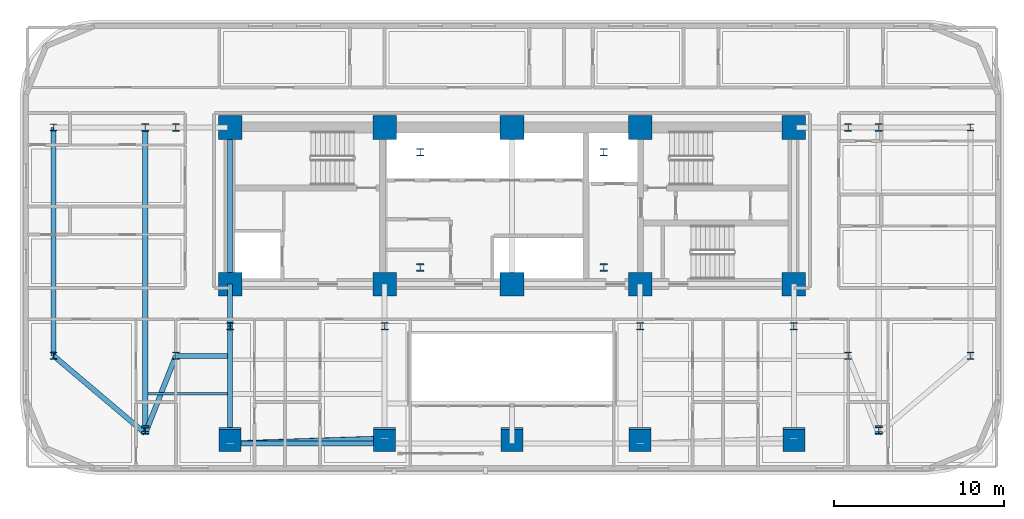
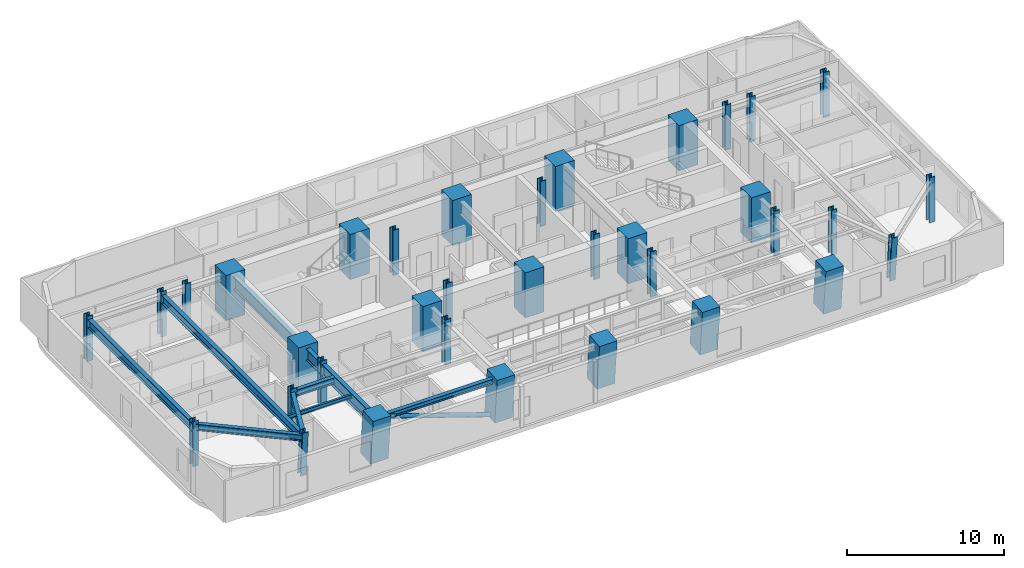
# One storey, part 1 of 16: 35 columns, 10 beams, 1 member.
"""IFC4 building model written with IfcOpenShell, lengths in metres."""

from ifc_helpers import new_model, si_unit, direction, frame, origin, origin_2d, place, context, subcontext, project, spatial, rectangle, hollow_circle, i_section, extrude, material, material_profile, profile_set, type_object, element, save


model = new_model("IFC4")

# Units and contexts
model_context = context("Model", 3, precision=1e-05, world=origin(), true_north=direction((0.0, 1.0)))
body_context = subcontext(model_context, "Body", "Model", "MODEL_VIEW")
ifc_project = project(units=[si_unit("LENGTHUNIT", "METRE"), si_unit("AREAUNIT", "SQUARE_METRE"), si_unit("VOLUMEUNIT", "CUBIC_METRE"), si_unit("PLANEANGLEUNIT", "RADIAN"), si_unit("MASSUNIT", "GRAM", prefix="KILO")], contexts=[model_context])

# Site, building, storey
site_placement = place(None, origin())
site = spatial("IfcSite", under=ifc_project, at=site_placement, CompositionType="ELEMENT")
building_placement = place(site_placement, origin())
building = spatial("IfcBuilding", under=site, at=building_placement, Name="Zarnavel Station Tower", CompositionType="ELEMENT")
storey_placement = place(building_placement, frame((0.0, 0.0, 82.800048828125)))
storey = spatial("IfcBuildingStorey", under=building, at=storey_placement, Name="L22", CompositionType="ELEMENT", Elevation=82.800048828125)

# Columns
ifc_material_1 = material(Name="Steel S460M", Category="steel")
ifc_material_profile_1 = material_profile(ifc_material_1, i_section(OverallWidth=0.41796875, OverallDepth=0.431884765625, WebThickness=0.034912109375, FlangeThickness=0.055908203125, FilletRadius=0.014892578125, at=origin_2d()), Name="HD400x421")
ifc_profile_set_1 = profile_set([ifc_material_profile_1], Name="Steel S460M")
column_type_1 = type_object("IfcColumnType", Name="EC_HD421", PredefinedType="COLUMN", material=ifc_profile_set_1)
for number, where, z_axis, x_axis, name in (
    (1, (1.800048828125, 23.60009765625, 0.0), (0.0, 0.0, 1.0), (1.0, 0.0, 0.0), "L22 Outer Wing South Column 1"),
    (2, (1.800048828125, 37.050048828125, 0.0), (0.0, 0.0, 1.0), (1.0, 0.0, 0.0), "L22 Outer Wing North Column 1"),
):
    element("IfcColumn", number, at=place(storey_placement, frame(where, z_axis=z_axis, x_axis=x_axis)), inside=storey, type_object=column_type_1, Name=name, PredefinedType="COLUMN", context=body_context, shape_type="SweptSolid", body=[
        extrude(i_section(OverallWidth=0.41796875, OverallDepth=0.431884765625, WebThickness=0.034912109375, FlangeThickness=0.055908203125, FilletRadius=0.014892578125, at=origin_2d()), origin(), (0.0, 0.0, 1.0), 3.5),
    ])
for number, where, z_axis, x_axis, name in (
    (3, (7.199951171875, 19.2880859375, 0.0), (0.0, -0.079891690793, 0.996803550226), (1.0, 0.0, 0.0), "L22 Raked Wing Column 2"),
    (4, (50.39990234375, 19.2880859375, 0.0), (0.0, -0.079891690793, 0.996803550226), (1.0, 0.0, 0.0), "L22 Raked Wing Column 3"),
):
    element("IfcColumn", number, at=place(storey_placement, frame(where, z_axis=z_axis, x_axis=x_axis)), inside=storey, type_object=column_type_1, Name=name, PredefinedType="COLUMN", context=body_context, shape_type="SweptSolid", body=[
        extrude(i_section(OverallWidth=0.41796875, OverallDepth=0.431884765625, WebThickness=0.034912109375, FlangeThickness=0.055908203125, FilletRadius=0.014892578125, at=origin_2d()), origin(), (0.0, 0.0, 1.0), 3.51123046875),
    ])
for number, where, z_axis, x_axis, name in (
    (5, (55.800048828125, 23.60009765625, 0.0), (0.0, 0.0, 1.0), (1.0, 0.0, 0.0), "L22 Outer Wing South Column 4"),
    (6, (55.800048828125, 37.050048828125, 0.0), (0.0, 0.0, 1.0), (1.0, 0.0, 0.0), "L22 Outer Wing North Column 4"),
):
    element("IfcColumn", number, at=place(storey_placement, frame(where, z_axis=z_axis, x_axis=x_axis)), inside=storey, type_object=column_type_1, Name=name, PredefinedType="COLUMN", context=body_context, shape_type="SweptSolid", body=[
        extrude(i_section(OverallWidth=0.41796875, OverallDepth=0.431884765625, WebThickness=0.034912109375, FlangeThickness=0.055908203125, FilletRadius=0.014892578125, at=origin_2d()), origin(), (0.0, 0.0, 1.0), 3.5),
    ])
ifc_material_2 = material(Name="Steel S460M", Category="steel")
ifc_material_profile_2 = material_profile(ifc_material_2, i_section(OverallWidth=0.424072265625, OverallDepth=0.449951171875, WebThickness=0.041015625, FlangeThickness=0.06494140625, FilletRadius=0.014892578125, at=origin_2d()), Name="HD400x509")
ifc_profile_set_2 = profile_set([ifc_material_profile_2], Name="Steel S460M")
column_type_2 = type_object("IfcColumnType", Name="IC_HD509", PredefinedType="COLUMN", material=ifc_profile_set_2)
for number, where, z_axis, x_axis, name in (
    (7, (23.39990234375, 28.800048828125, 0.0), (0.0, 0.0, 1.0), (1.0, 0.0, 0.0), "L22 Mast Spine Column 1"),
    (8, (34.199951171875, 28.800048828125, 0.0), (0.0, 0.0, 1.0), (1.0, 0.0, 0.0), "L22 Mast Spine Column 2"),
    (9, (34.199951171875, 35.60009765625, 0.0), (0.0, 0.0, 1.0), (1.0, 0.0, 0.0), "L22 Mast Spine Column 3"),
    (10, (23.39990234375, 35.60009765625, 0.0), (0.0, 0.0, 1.0), (1.0, 0.0, 0.0), "L22 Mast Spine Column 4"),
    (11, (12.199951171875, 25.35009765625, 0.0), (0.0, 0.0, 1.0), (1.0, 0.0, 0.0), "L22 Inner Spine Column 1"),
    (12, (21.300048828125, 25.35009765625, 0.0), (0.0, 0.0, 1.0), (1.0, 0.0, 0.0), "L22 Inner Spine Column 2"),
    (13, (36.35009765625, 25.35009765625, 0.0), (0.0, 0.0, 1.0), (1.0, 0.0, 0.0), "L22 Inner Spine Column 4"),
    (14, (45.39990234375, 25.35009765625, 0.0), (0.0, 0.0, 1.0), (1.0, 0.0, 0.0), "L22 Inner Spine Column 5"),
    (15, (9.0, 23.60009765625, 0.0), (0.0, 0.0, 1.0), (1.0, 0.0, 0.0), "L22 Inner Wing Spine Column 1-1"),
    (16, (9.0, 37.050048828125, 0.0), (0.0, 0.0, 1.0), (1.0, 0.0, 0.0), "L22 Inner Wing Spine Column 1-2"),
    (17, (48.60009765625, 23.60009765625, 0.0), (0.0, 0.0, 1.0), (1.0, 0.0, 0.0), "L22 Inner Wing Spine Column 2-1"),
    (18, (48.60009765625, 37.050048828125, 0.0), (0.0, 0.0, 1.0), (1.0, 0.0, 0.0), "L22 Inner Wing Spine Column 2-2"),
    (19, (7.199951171875, 37.050048828125, 0.0), (0.0, 0.0, 1.0), (1.0, 0.0, 0.0), "L22 Outer Wing North Column 2"),
    (20, (50.39990234375, 37.050048828125, 0.0), (0.0, 0.0, 1.0), (1.0, 0.0, 0.0), "L22 Outer Wing North Column 3"),
):
    element("IfcColumn", number, at=place(storey_placement, frame(where, z_axis=z_axis, x_axis=x_axis)), inside=storey, type_object=column_type_2, Name=name, PredefinedType="COLUMN", context=body_context, shape_type="SweptSolid", body=[
        extrude(i_section(OverallWidth=0.424072265625, OverallDepth=0.449951171875, WebThickness=0.041015625, FlangeThickness=0.06494140625, FilletRadius=0.014892578125, at=origin_2d()), origin(), (0.0, 0.0, 1.0), 3.5),
    ])
ifc_material_3 = material(Name="Concrete C60/75", Category="concrete")
ifc_material_profile_3 = material_profile(ifc_material_3, rectangle(XDim=1.39990234375, YDim=1.39990234375, at=origin_2d()), Name="RC1400x1400")
ifc_profile_set_3 = profile_set([ifc_material_profile_3], Name="Concrete C60/75")
column_type_3 = type_object("IfcColumnType", Name="IC_RC1400", PredefinedType="COLUMN", material=ifc_profile_set_3)
for number, where, z_axis, x_axis, name in (
    (21, (12.199951171875, 27.820068359375, 0.0), (0.0, 0.0, 1.0), (1.0, 0.0, 0.0), "L22 Core Spine Column 1-1"),
    (22, (12.199951171875, 37.050048828125, 0.0), (0.0, 0.0, 1.0), (1.0, 0.0, 0.0), "L22 Core Spine Column 1-2"),
    (23, (21.300048828125, 27.820068359375, 0.0), (0.0, 0.0, 1.0), (1.0, 0.0, 0.0), "L22 Core Spine Column 2-1"),
    (24, (21.300048828125, 37.050048828125, 0.0), (0.0, 0.0, 1.0), (1.0, 0.0, 0.0), "L22 Core Spine Column 2-2"),
    (25, (28.800048828125, 27.820068359375, 0.0), (0.0, 0.0, 1.0), (1.0, 0.0, 0.0), "L22 Core Spine Column 3-1"),
    (26, (28.800048828125, 37.050048828125, 0.0), (0.0, 0.0, 1.0), (1.0, 0.0, 0.0), "L22 Core Spine Column 3-2"),
    (27, (36.35009765625, 27.820068359375, 0.0), (0.0, 0.0, 1.0), (1.0, 0.0, 0.0), "L22 Core Spine Column 4-1"),
    (28, (36.35009765625, 37.050048828125, 0.0), (0.0, 0.0, 1.0), (1.0, 0.0, 0.0), "L22 Core Spine Column 4-2"),
    (29, (45.39990234375, 27.820068359375, 0.0), (0.0, 0.0, 1.0), (1.0, 0.0, 0.0), "L22 Core Spine Column 5-1"),
    (30, (45.39990234375, 37.050048828125, 0.0), (0.0, 0.0, 1.0), (1.0, 0.0, 0.0), "L22 Core Spine Column 5-2"),
):
    element("IfcColumn", number, at=place(storey_placement, frame(where, z_axis=z_axis, x_axis=x_axis)), inside=storey, type_object=column_type_3, Name=name, PredefinedType="COLUMN", context=body_context, shape_type="SweptSolid", body=[
        extrude(rectangle(XDim=1.39990234375, YDim=1.39990234375, at=origin_2d()), origin(), (0.0, 0.0, 1.0), 3.5),
    ])
ifc_material_4 = material(Name="Concrete C60/75", Category="concrete")
ifc_material_profile_4 = material_profile(ifc_material_4, rectangle(XDim=1.300048828125, YDim=1.300048828125, at=origin_2d()), Name="RC1300x1300")
ifc_profile_set_4 = profile_set([ifc_material_profile_4], Name="Concrete C60/75")
column_type_4 = type_object("IfcColumnType", Name="MC_RC1300", PredefinedType="COLUMN", material=ifc_profile_set_4)
for number, where, z_axis, x_axis, name in (
    (31, (12.199951171875, 18.724609375, 0.0), (0.0, -0.090241349316, 0.995919925935), (1.0, 0.0, 0.0), "L22 Raked South Mega-Column 1"),
    (32, (21.300048828125, 18.724609375, 0.0), (0.0, -0.090241349316, 0.995919925935), (1.0, 0.0, 0.0), "L22 Raked South Mega-Column 2"),
    (33, (28.800048828125, 18.724609375, 0.0), (0.0, -0.090241349316, 0.995919925935), (1.0, 0.0, 0.0), "L22 Raked South Mega-Column 3"),
    (34, (36.35009765625, 18.724609375, 0.0), (0.0, -0.090241349316, 0.995919925935), (1.0, 0.0, 0.0), "L22 Raked South Mega-Column 4"),
    (35, (45.39990234375, 18.724609375, 0.0), (0.0, -0.090241349316, 0.995919925935), (1.0, 0.0, 0.0), "L22 Raked South Mega-Column 5"),
):
    element("IfcColumn", number, at=place(storey_placement, frame(where, z_axis=z_axis, x_axis=x_axis)), inside=storey, type_object=column_type_4, Name=name, PredefinedType="COLUMN", context=body_context, shape_type="SweptSolid", body=[
        extrude(rectangle(XDim=1.300048828125, YDim=1.300048828125, at=origin_2d()), origin(), (0.0, 0.0, 1.0), 3.514404296875),
    ])

# Member
ifc_material_5 = material(Name="Steel S355J2", Category="steel")
ifc_material_profile_5 = material_profile(ifc_material_5, hollow_circle(Radius=0.161865234375, WallThickness=0.012451171875, at=origin_2d()), Name="CHS323.9x12.5")
ifc_profile_set_5 = profile_set([ifc_material_profile_5], Name="Steel S355J2")
member_type = type_object("IfcMemberType", Name="DB_EXT_CHS324", PredefinedType="BRACE", material=ifc_profile_set_5)
member_placement = place(storey_placement, frame((21.300048828125, 18.724609375, 0.0), z_axis=(-0.941635675338, -0.030390827854, 0.335259082669), x_axis=(0.032257711549, -0.999479584607, 0.0)))
element("IfcMember", 36, at=member_placement, inside=storey, type_object=member_type, Name="L22 Persian Exterior Diagonal Frame Brace 1", PredefinedType="BRACE", context=body_context, shape_type="SweptSolid", body=[
    extrude(hollow_circle(Radius=0.161865234375, WallThickness=0.012451171875, at=origin_2d()), origin(), (0.0, 0.0, 1.0), 9.6640625),
])

# Beams
ifc_material_6 = material(Name="Steel S355J2", Category="steel")
ifc_material_profile_6 = material_profile(ifc_material_6, i_section(OverallWidth=0.300048828125, OverallDepth=0.39990234375, WebThickness=0.013427734375, FlangeThickness=0.02392578125, FilletRadius=0.027099609375, at=origin_2d()), Name="HEB400")
ifc_profile_set_6 = profile_set([ifc_material_profile_6], Name="Steel S355J2")
beam_type_1 = type_object("IfcBeamType", Name="EB_HEB400", PredefinedType="SPANDREL", material=ifc_profile_set_6)
beam_1_placement = place(storey_placement, frame((12.199951171875, 18.430908203125, 3.0400390625), z_axis=(1.0, 0.0, 0.0), x_axis=(0.0, 1.0, 0.0)))
element("IfcBeam", 37, at=beam_1_placement, inside=storey, type_object=beam_type_1, Name="L22 South Raked Spandrel 1", PredefinedType="SPANDREL", context=body_context, shape_type="SweptSolid", body=[
    extrude(i_section(OverallWidth=0.300048828125, OverallDepth=0.39990234375, WebThickness=0.013427734375, FlangeThickness=0.02392578125, FilletRadius=0.027099609375, at=origin_2d()), origin(), (0.0, 0.0, 1.0), 9.10009765625),
])
ifc_material_7 = material(Name="Steel S355J2", Category="steel")
ifc_material_profile_7 = material_profile(ifc_material_7, i_section(OverallWidth=0.300048828125, OverallDepth=0.5, WebThickness=0.014404296875, FlangeThickness=0.028076171875, FilletRadius=0.027099609375, at=origin_2d()), Name="HEB500")
ifc_profile_set_7 = profile_set([ifc_material_profile_7], Name="Steel S355J2")
beam_type_2 = type_object("IfcBeamType", Name="FG_HEB500", PredefinedType="USERDEFINED", material=ifc_profile_set_7)
beam_2_placement = place(storey_placement, frame((1.800048828125, 23.60009765625, 2.989990234375), z_axis=(0.763203016061, -0.646158770176, 0.0), x_axis=(0.646158770176, 0.763203016061, 0.0)))
element("IfcBeam", 38, at=beam_2_placement, inside=storey, type_object=beam_type_2, Name="L22 West Wing South Tie 1", ObjectType="GIRDER", PredefinedType="USERDEFINED", context=body_context, shape_type="SweptSolid", body=[
    extrude(i_section(OverallWidth=0.300048828125, OverallDepth=0.5, WebThickness=0.014404296875, FlangeThickness=0.028076171875, FilletRadius=0.027099609375, at=origin_2d()), origin(), (0.0, 0.0, 1.0), 7.0751953125),
])
beam_3_placement = place(storey_placement, frame((7.199951171875, 19.0283203125, 2.989990234375), z_axis=(0.366356367954, 0.930474616344, 0.0), x_axis=(-0.930474616344, 0.366356367954, 0.0)))
element("IfcBeam", 39, at=beam_3_placement, inside=storey, type_object=beam_type_2, Name="L22 West Wing South Tie 2", ObjectType="GIRDER", PredefinedType="USERDEFINED", context=body_context, shape_type="SweptSolid", body=[
    extrude(i_section(OverallWidth=0.300048828125, OverallDepth=0.5, WebThickness=0.014404296875, FlangeThickness=0.028076171875, FilletRadius=0.027099609375, at=origin_2d()), origin(), (0.0, 0.0, 1.0), 4.913330078125),
])
beam_4_placement = place(storey_placement, frame((9.0, 23.60009765625, 2.989990234375), z_axis=(1.0, 0.0, 0.0), x_axis=(0.0, 1.0, 0.0)))
element("IfcBeam", 40, at=beam_4_placement, inside=storey, type_object=beam_type_2, Name="L22 West Wing South Tie 3", ObjectType="GIRDER", PredefinedType="USERDEFINED", context=body_context, shape_type="SweptSolid", body=[
    extrude(i_section(OverallWidth=0.300048828125, OverallDepth=0.5, WebThickness=0.014404296875, FlangeThickness=0.028076171875, FilletRadius=0.027099609375, at=origin_2d()), origin(), (0.0, 0.0, 1.0), 3.054931640625),
])
ifc_material_8 = material(Name="Steel S355J2", Category="steel")
ifc_material_profile_8 = material_profile(ifc_material_8, i_section(OverallWidth=0.300048828125, OverallDepth=0.64990234375, WebThickness=0.01611328125, FlangeThickness=0.031005859375, FilletRadius=0.027099609375, at=origin_2d()), Name="HEB650")
ifc_profile_set_8 = profile_set([ifc_material_profile_8], Name="Steel S355J2")
beam_type_3 = type_object("IfcBeamType", Name="FG_HEB650", PredefinedType="USERDEFINED", material=ifc_profile_set_8)
beam_5_placement = place(storey_placement, frame((1.800048828125, 23.60009765625, 2.9150390625), z_axis=(0.0, 1.0, 0.0), x_axis=(-1.0, 0.0, 0.0)))
element("IfcBeam", 41, at=beam_5_placement, inside=storey, type_object=beam_type_3, Name="L22 Wing NS Girder 1", ObjectType="GIRDER", PredefinedType="USERDEFINED", context=body_context, shape_type="SweptSolid", body=[
    extrude(i_section(OverallWidth=0.300048828125, OverallDepth=0.64990234375, WebThickness=0.01611328125, FlangeThickness=0.031005859375, FilletRadius=0.027099609375, at=origin_2d()), origin(), (0.0, 0.0, 1.0), 13.449951171875),
])
beam_6_placement = place(storey_placement, frame((7.199951171875, 19.0283203125, 2.9150390625), z_axis=(0.0, 1.0, 0.0), x_axis=(-1.0, 0.0, 0.0)))
element("IfcBeam", 42, at=beam_6_placement, inside=storey, type_object=beam_type_3, Name="L22 Wing NS Girder 2", ObjectType="GIRDER", PredefinedType="USERDEFINED", context=body_context, shape_type="SweptSolid", body=[
    extrude(i_section(OverallWidth=0.300048828125, OverallDepth=0.64990234375, WebThickness=0.01611328125, FlangeThickness=0.031005859375, FilletRadius=0.027099609375, at=origin_2d()), origin(), (0.0, 0.0, 1.0), 18.021728515625),
])
ifc_material_9 = material(Name="Steel S355J2", Category="steel")
ifc_material_profile_9 = material_profile(ifc_material_9, i_section(OverallWidth=0.14990234375, OverallDepth=0.300048828125, WebThickness=0.007080078125, FlangeThickness=0.0107421875, FilletRadius=0.014892578125, at=origin_2d()), Name="IPE300")
ifc_profile_set_9 = profile_set([ifc_material_profile_9], Name="Steel S355J2")
beam_type_4 = type_object("IfcBeamType", Name="FJ_IPE300", PredefinedType="JOIST", material=ifc_profile_set_9)
beam_7_placement = place(storey_placement, frame((7.344970703125, 21.35400390625, 3.08984375), z_axis=(1.0, 0.0, 0.0), x_axis=(0.0, 1.0, 0.0)))
element("IfcBeam", 43, at=beam_7_placement, inside=storey, type_object=beam_type_4, Name="L22 West Wing Joist 1", PredefinedType="JOIST", context=body_context, shape_type="SweptSolid", body=[
    extrude(i_section(OverallWidth=0.14990234375, OverallDepth=0.300048828125, WebThickness=0.007080078125, FlangeThickness=0.0107421875, FilletRadius=0.014892578125, at=origin_2d()), origin(), (0.0, 0.0, 1.0), 4.7099609375),
])
ifc_material_10 = material(Name="Steel S460M", Category="steel")
ifc_material_profile_10 = material_profile(ifc_material_10, i_section(OverallWidth=0.302001953125, OverallDepth=1.008056640625, WebThickness=0.02099609375, FlangeThickness=0.0400390625, FilletRadius=0.030029296875, at=origin_2d()), Name="HEM1000")
ifc_profile_set_10 = profile_set([ifc_material_profile_10], Name="Steel S460M")
beam_type_5 = type_object("IfcBeamType", Name="TG_HEM1000", PredefinedType="USERDEFINED", material=ifc_profile_set_10)
beam_8_placement = place(storey_placement, frame((12.199951171875, 27.820068359375, 2.73583984375), z_axis=(0.0, 1.0, 0.0), x_axis=(-1.0, 0.0, 0.0)))
element("IfcBeam", 44, at=beam_8_placement, inside=storey, type_object=beam_type_5, Name="L22 Core Spine Coupling Girder 1", ObjectType="GIRDER", PredefinedType="USERDEFINED", context=body_context, shape_type="SweptSolid", body=[
    extrude(i_section(OverallWidth=0.302001953125, OverallDepth=1.008056640625, WebThickness=0.02099609375, FlangeThickness=0.0400390625, FilletRadius=0.030029296875, at=origin_2d()), origin(), (0.0, 0.0, 1.0), 9.22998046875),
])
ifc_material_11 = material(Name="Steel S460M", Category="steel")
ifc_material_profile_11 = material_profile(ifc_material_11, i_section(OverallWidth=0.302001953125, OverallDepth=0.909912109375, WebThickness=0.02099609375, FlangeThickness=0.0400390625, FilletRadius=0.030029296875, at=origin_2d()), Name="HEM900")
ifc_profile_set_11 = profile_set([ifc_material_profile_11], Name="Steel S460M")
beam_type_6 = type_object("IfcBeamType", Name="TG_HEM900", PredefinedType="USERDEFINED", material=ifc_profile_set_11)
beam_9_placement = place(storey_placement, frame((12.199951171875, 18.430908203125, 2.784912109375), z_axis=(0.0, 1.0, 0.0), x_axis=(-1.0, 0.0, 0.0)))
element("IfcBeam", 45, at=beam_9_placement, inside=storey, type_object=beam_type_6, Name="L22 South-Zone NS Girder 1", ObjectType="GIRDER", PredefinedType="USERDEFINED", context=body_context, shape_type="SweptSolid", body=[
    extrude(i_section(OverallWidth=0.302001953125, OverallDepth=0.909912109375, WebThickness=0.02099609375, FlangeThickness=0.0400390625, FilletRadius=0.030029296875, at=origin_2d()), origin(), (0.0, 0.0, 1.0), 6.919189453125),
])
beam_10_placement = place(storey_placement, frame((12.199951171875, 25.35009765625, 2.784912109375), z_axis=(0.0, 1.0, 0.0), x_axis=(-1.0, 0.0, 0.0)))
element("IfcBeam", 46, at=beam_10_placement, inside=storey, type_object=beam_type_6, Name="L22 Inner-Zone NS Girder 1", ObjectType="GIRDER", PredefinedType="USERDEFINED", context=body_context, shape_type="SweptSolid", body=[
    extrude(i_section(OverallWidth=0.302001953125, OverallDepth=0.909912109375, WebThickness=0.02099609375, FlangeThickness=0.0400390625, FilletRadius=0.030029296875, at=origin_2d()), origin(), (0.0, 0.0, 1.0), 2.469970703125),
])

save(model, "model.ifc")
